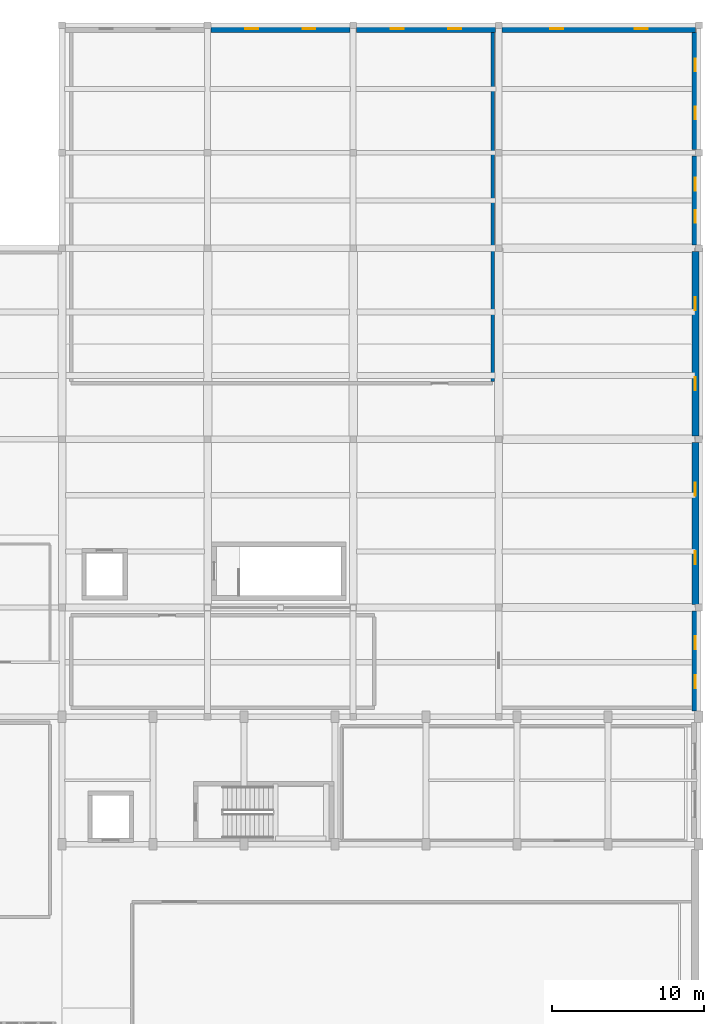
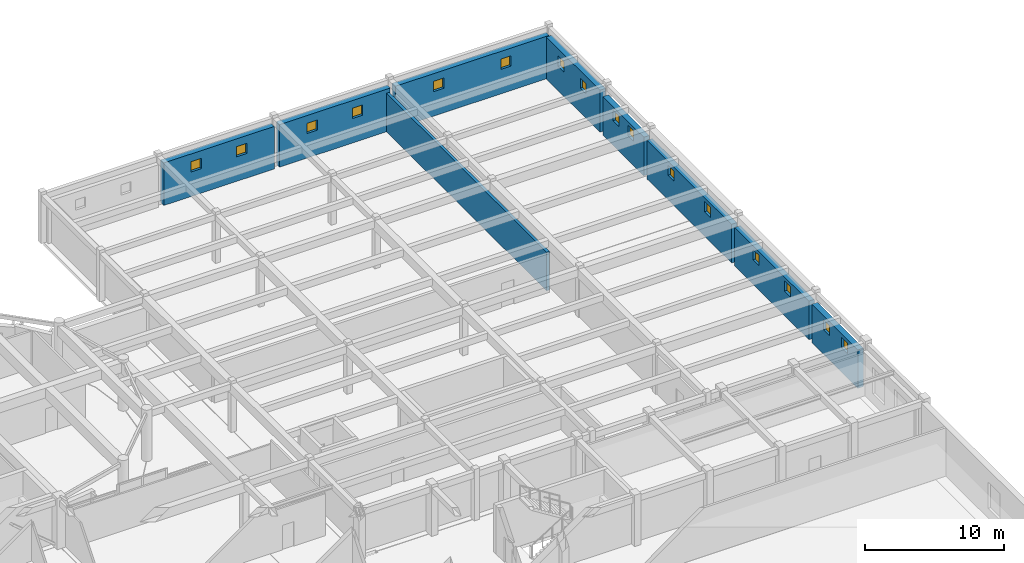
# One storey, part 74 of 91: 16 windows, 9 walls, 16 openings.
"""IFC4 building model written with IfcOpenShell, lengths in metres."""

from ifc_helpers import new_model, si_unit, direction, frame, frame_2d, origin, place, context, subcontext, project, spatial, rectangle, extrude, material, layer, layer_set, type_object, element, fill, save


model = new_model("IFC4")

# Units and contexts
model_context = context("Model", 3, precision=1e-05, world=origin(), true_north=direction((0.0, 1.0)))
body_context = subcontext(model_context, "Body", "Model", "MODEL_VIEW")
ifc_project = project(units=[si_unit("LENGTHUNIT", "METRE"), si_unit("AREAUNIT", "SQUARE_METRE"), si_unit("VOLUMEUNIT", "CUBIC_METRE"), si_unit("PLANEANGLEUNIT", "RADIAN"), si_unit("MASSUNIT", "GRAM", prefix="KILO")], contexts=[model_context])

# Site, building, storey
site_placement = place(None, origin())
site = spatial("IfcSite", under=ifc_project, at=site_placement, CompositionType="ELEMENT")
building_placement = place(site_placement, origin())
building = spatial("IfcBuilding", under=site, at=building_placement, Name="Tarnavel Promenade Courthouse", CompositionType="ELEMENT")
storey_placement = place(building_placement, frame((0.0, 0.0, 9.89990234375)))
storey = spatial("IfcBuildingStorey", under=building, at=storey_placement, Name="L03", CompositionType="ELEMENT", Elevation=9.89990234375)

# Wall, openings, windows
ifc_material_1 = material(Name="Concrete C40/50", Category="concrete")
ifc_layer_1 = layer(ifc_material_1, 0.4599609375)
ifc_layer_set_1 = layer_set([ifc_layer_1], Name="Concrete C40/50")
wall_type_1 = type_object("IfcWallType", Name="Concrete C40/50 WL-SEC-460 (460 mm)", PredefinedType="STANDARD", material=ifc_layer_set_1)
wall_1_placement = place(storey_placement, frame((129.81201171875, 112.56005859375, 0.0), z_axis=(0.0, 0.0, 1.0), x_axis=(1.0, 0.0, 0.0)))
wall_1 = element("IfcWall", 1, at=wall_1_placement, inside=storey, type_object=wall_type_1, Name="L03 Custody Block North Security Wall 0422", PredefinedType="STANDARD", context=body_context, shape_type="SweptSolid", body=[
    extrude(rectangle(XDim=9.1708984375, YDim=0.4599609375, at=frame_2d((4.58544921875, 0.0))), origin(), (0.0, 0.0, 1.0), 3.72998046875),
])
opening_1_placement = place(wall_1_placement, frame((2.278076171875, 0.0, 2.14990234375)))
opening_1 = element("IfcOpeningElement", 2, at=opening_1_placement, cuts=wall_1, Name="Opening W-11", PredefinedType="OPENING", context=body_context, shape_type="SweptSolid", body=[
    extrude(rectangle(XDim=0.85009765625, YDim=0.89990234375, at=frame_2d((0.425048828125, 0.449951171875))), frame((0.0, 0.239990234375, 0.0), z_axis=(0.0, -1.0, 0.0), x_axis=(1.0, 0.0, 0.0)), (0.0, 0.0, 1.0), 0.47998046875),
])
opening_2_placement = place(wall_1_placement, frame((6.048095703125, 0.0, 2.14990234375)))
opening_2 = element("IfcOpeningElement", 3, at=opening_2_placement, cuts=wall_1, Name="Opening W-11", PredefinedType="OPENING", context=body_context, shape_type="SweptSolid", body=[
    extrude(rectangle(XDim=0.85009765625, YDim=0.89990234375, at=frame_2d((0.425048828125, 0.449951171875))), frame((0.0, 0.239990234375, 0.0), z_axis=(0.0, -1.0, 0.0), x_axis=(1.0, 0.0, 0.0)), (0.0, 0.0, 1.0), 0.47998046875),
])
ifc_material_2 = material(Name="Triple Low-E Glazed Bronze-Clad Window Assembly")
window_type = type_object("IfcWindowType", Name="Triple-Glazed Bronze-Clad Timber-Aluminium WIN-CUS-0850x0900", PartitioningType="SINGLE_PANEL", PredefinedType="WINDOW", material=ifc_material_2)
window_1_placement = place(opening_1_placement, origin())
window_1 = element("IfcWindow", 4, at=window_1_placement, inside=storey, type_object=window_type, Name="L03 Exterior Window 0523", OverallHeight=0.89990234375, OverallWidth=0.85009765625, PartitioningType="SINGLE_PANEL", PredefinedType="WINDOW", context=body_context, shape_type="SweptSolid", body=[
    extrude(rectangle(XDim=0.85009765625, YDim=0.89990234375, at=frame_2d((0.425048828125, 0.449951171875))), frame((0.0, 0.030029296875, 0.0), z_axis=(0.0, -1.0, 0.0), x_axis=(1.0, 0.0, 0.0)), (0.0, 0.0, 1.0), 0.06005859375),
])
fill(opening_1, window_1)
window_2_placement = place(opening_2_placement, origin())
window_2 = element("IfcWindow", 5, at=window_2_placement, inside=storey, type_object=window_type, Name="L03 Exterior Window 0524", OverallHeight=0.89990234375, OverallWidth=0.85009765625, PartitioningType="SINGLE_PANEL", PredefinedType="WINDOW", context=body_context, shape_type="SweptSolid", body=[
    extrude(rectangle(XDim=0.85009765625, YDim=0.89990234375, at=frame_2d((0.425048828125, 0.449951171875))), frame((0.0, 0.030029296875, 0.0), z_axis=(0.0, -1.0, 0.0), x_axis=(1.0, 0.0, 0.0)), (0.0, 0.0, 1.0), 0.06005859375),
])
fill(opening_2, window_2)

wall_2_placement = place(storey_placement, frame((139.412109375, 112.56005859375, 0.0), z_axis=(0.0, 0.0, 1.0), x_axis=(1.0, 0.0, 0.0)))
wall_2 = element("IfcWall", 6, at=wall_2_placement, inside=storey, type_object=wall_type_1, Name="L03 Custody Block North Security Wall 0423", PredefinedType="STANDARD", context=body_context, shape_type="SweptSolid", body=[
    extrude(rectangle(XDim=9.17578125, YDim=0.4599609375, at=frame_2d((4.587890625, 0.0))), origin(), (0.0, 0.0, 1.0), 3.72998046875),
])
opening_3_placement = place(wall_2_placement, frame((2.278076171875, 0.0, 2.14990234375)))
opening_3 = element("IfcOpeningElement", 7, at=opening_3_placement, cuts=wall_2, Name="Opening W-11", PredefinedType="OPENING", context=body_context, shape_type="SweptSolid", body=[
    extrude(rectangle(XDim=0.85009765625, YDim=0.89990234375, at=frame_2d((0.425048828125, 0.449951171875))), frame((0.0, 0.239990234375, 0.0), z_axis=(0.0, -1.0, 0.0), x_axis=(1.0, 0.0, 0.0)), (0.0, 0.0, 1.0), 0.47998046875),
])
opening_4_placement = place(wall_2_placement, frame((6.048095703125, 0.0, 2.14990234375)))
opening_4 = element("IfcOpeningElement", 8, at=opening_4_placement, cuts=wall_2, Name="Opening W-11", PredefinedType="OPENING", context=body_context, shape_type="SweptSolid", body=[
    extrude(rectangle(XDim=0.85009765625, YDim=0.89990234375, at=frame_2d((0.425048828125, 0.449951171875))), frame((0.0, 0.239990234375, 0.0), z_axis=(0.0, -1.0, 0.0), x_axis=(1.0, 0.0, 0.0)), (0.0, 0.0, 1.0), 0.47998046875),
])
window_3_placement = place(opening_3_placement, origin())
window_3 = element("IfcWindow", 9, at=window_3_placement, inside=storey, type_object=window_type, Name="L03 Exterior Window 0525", OverallHeight=0.89990234375, OverallWidth=0.85009765625, PartitioningType="SINGLE_PANEL", PredefinedType="WINDOW", context=body_context, shape_type="SweptSolid", body=[
    extrude(rectangle(XDim=0.85009765625, YDim=0.89990234375, at=frame_2d((0.425048828125, 0.449951171875))), frame((0.0, 0.030029296875, 0.0), z_axis=(0.0, -1.0, 0.0), x_axis=(1.0, 0.0, 0.0)), (0.0, 0.0, 1.0), 0.06005859375),
])
fill(opening_3, window_3)
window_4_placement = place(opening_4_placement, origin())
window_4 = element("IfcWindow", 10, at=window_4_placement, inside=storey, type_object=window_type, Name="L03 Exterior Window 0526", OverallHeight=0.89990234375, OverallWidth=0.85009765625, PartitioningType="SINGLE_PANEL", PredefinedType="WINDOW", context=body_context, shape_type="SweptSolid", body=[
    extrude(rectangle(XDim=0.85009765625, YDim=0.89990234375, at=frame_2d((0.425048828125, 0.449951171875))), frame((0.0, 0.030029296875, 0.0), z_axis=(0.0, -1.0, 0.0), x_axis=(1.0, 0.0, 0.0)), (0.0, 0.0, 1.0), 0.06005859375),
])
fill(opening_4, window_4)

wall_3_placement = place(storey_placement, frame((149.01708984375, 112.56005859375, 0.0), z_axis=(0.0, 0.0, 1.0), x_axis=(1.0, 0.0, 0.0)))
wall_3 = element("IfcWall", 11, at=wall_3_placement, inside=storey, type_object=wall_type_1, Name="L03 Custody Block North Security Wall 0424", PredefinedType="STANDARD", context=body_context, shape_type="SweptSolid", body=[
    extrude(rectangle(XDim=12.765869140625, YDim=0.4599609375, at=frame_2d((6.3828125, 0.0))), origin(), (0.0, 0.0, 1.0), 3.72998046875),
])
opening_5_placement = place(wall_3_placement, frame((3.173095703125, 0.0, 2.14990234375)))
opening_5 = element("IfcOpeningElement", 12, at=opening_5_placement, cuts=wall_3, Name="Opening W-11", PredefinedType="OPENING", context=body_context, shape_type="SweptSolid", body=[
    extrude(rectangle(XDim=0.85009765625, YDim=0.89990234375, at=frame_2d((0.425048828125, 0.449951171875))), frame((0.0, 0.239990234375, 0.0), z_axis=(0.0, -1.0, 0.0), x_axis=(1.0, 0.0, 0.0)), (0.0, 0.0, 1.0), 0.47998046875),
])
opening_6_placement = place(wall_3_placement, frame((8.742919921875, 0.0, 2.14990234375)))
opening_6 = element("IfcOpeningElement", 13, at=opening_6_placement, cuts=wall_3, Name="Opening W-11", PredefinedType="OPENING", context=body_context, shape_type="SweptSolid", body=[
    extrude(rectangle(XDim=0.85009765625, YDim=0.89990234375, at=frame_2d((0.425048828125, 0.449951171875))), frame((0.0, 0.239990234375, 0.0), z_axis=(0.0, -1.0, 0.0), x_axis=(1.0, 0.0, 0.0)), (0.0, 0.0, 1.0), 0.47998046875),
])
window_5_placement = place(opening_5_placement, origin())
window_5 = element("IfcWindow", 14, at=window_5_placement, inside=storey, type_object=window_type, Name="L03 Exterior Window 0527", OverallHeight=0.89990234375, OverallWidth=0.85009765625, PartitioningType="SINGLE_PANEL", PredefinedType="WINDOW", context=body_context, shape_type="SweptSolid", body=[
    extrude(rectangle(XDim=0.85009765625, YDim=0.89990234375, at=frame_2d((0.425048828125, 0.449951171875))), frame((0.0, 0.030029296875, 0.0), z_axis=(0.0, -1.0, 0.0), x_axis=(1.0, 0.0, 0.0)), (0.0, 0.0, 1.0), 0.06005859375),
])
fill(opening_5, window_5)
window_6_placement = place(opening_6_placement, origin())
window_6 = element("IfcWindow", 15, at=window_6_placement, inside=storey, type_object=window_type, Name="L03 Exterior Window 0528", OverallHeight=0.89990234375, OverallWidth=0.85009765625, PartitioningType="SINGLE_PANEL", PredefinedType="WINDOW", context=body_context, shape_type="SweptSolid", body=[
    extrude(rectangle(XDim=0.85009765625, YDim=0.89990234375, at=frame_2d((0.425048828125, 0.449951171875))), frame((0.0, 0.030029296875, 0.0), z_axis=(0.0, -1.0, 0.0), x_axis=(1.0, 0.0, 0.0)), (0.0, 0.0, 1.0), 0.06005859375),
])
fill(opening_6, window_6)

wall_4_placement = place(storey_placement, frame((161.760009765625, 74.18798828125, 0.0), z_axis=(0.0, 0.0, 1.0), x_axis=(0.0, -1.0, 0.0)))
wall_4 = element("IfcWall", 16, at=wall_4_placement, inside=storey, type_object=wall_type_1, Name="L03 Custody Block East Security Wall 0425", PredefinedType="STANDARD", context=body_context, shape_type="SweptSolid", body=[
    extrude(rectangle(XDim=6.62109375, YDim=0.4599609375, at=frame_2d((3.310546875, 0.0))), origin(), (0.0, 0.0, 1.0), 3.380126953125),
])
opening_7_placement = place(wall_4_placement, frame((1.677978515625, 0.0, 2.14990234375)))
opening_7 = element("IfcOpeningElement", 17, at=opening_7_placement, cuts=wall_4, Name="Opening W-11", PredefinedType="OPENING", context=body_context, shape_type="SweptSolid", body=[
    extrude(rectangle(XDim=0.85009765625, YDim=0.89990234375, at=frame_2d((0.425048828125, 0.449951171875))), frame((0.0, 0.239990234375, 0.0), z_axis=(0.0, -1.0, 0.0), x_axis=(1.0, 0.0, 0.0)), (0.0, 0.0, 1.0), 0.47998046875),
])
opening_8_placement = place(wall_4_placement, frame((4.248046875, 0.0, 2.14990234375)))
opening_8 = element("IfcOpeningElement", 18, at=opening_8_placement, cuts=wall_4, Name="Opening W-11", PredefinedType="OPENING", context=body_context, shape_type="SweptSolid", body=[
    extrude(rectangle(XDim=0.85009765625, YDim=0.89990234375, at=frame_2d((0.425048828125, 0.449951171875))), frame((0.0, 0.239990234375, 0.0), z_axis=(0.0, -1.0, 0.0), x_axis=(1.0, 0.0, 0.0)), (0.0, 0.0, 1.0), 0.47998046875),
])
window_7_placement = place(opening_7_placement, origin())
window_7 = element("IfcWindow", 19, at=window_7_placement, inside=storey, type_object=window_type, Name="L03 Exterior Window 0529", OverallHeight=0.89990234375, OverallWidth=0.85009765625, PartitioningType="SINGLE_PANEL", PredefinedType="WINDOW", context=body_context, shape_type="SweptSolid", body=[
    extrude(rectangle(XDim=0.85009765625, YDim=0.89990234375, at=frame_2d((0.425048828125, 0.449951171875))), frame((0.0, 0.030029296875, 0.0), z_axis=(0.0, -1.0, 0.0), x_axis=(1.0, 0.0, 0.0)), (0.0, 0.0, 1.0), 0.06005859375),
])
fill(opening_7, window_7)
window_8_placement = place(opening_8_placement, origin())
window_8 = element("IfcWindow", 20, at=window_8_placement, inside=storey, type_object=window_type, Name="L03 Exterior Window 0530", OverallHeight=0.89990234375, OverallWidth=0.85009765625, PartitioningType="SINGLE_PANEL", PredefinedType="WINDOW", context=body_context, shape_type="SweptSolid", body=[
    extrude(rectangle(XDim=0.85009765625, YDim=0.89990234375, at=frame_2d((0.425048828125, 0.449951171875))), frame((0.0, 0.030029296875, 0.0), z_axis=(0.0, -1.0, 0.0), x_axis=(1.0, 0.0, 0.0)), (0.0, 0.0, 1.0), 0.06005859375),
])
fill(opening_8, window_8)

wall_5_placement = place(storey_placement, frame((161.760009765625, 85.2880859375, 0.0), z_axis=(0.0, 0.0, 1.0), x_axis=(0.0, -1.0, 0.0)))
wall_5 = element("IfcWall", 21, at=wall_5_placement, inside=storey, type_object=wall_type_1, Name="L03 Custody Block East Security Wall 0426", PredefinedType="STANDARD", context=body_context, shape_type="SweptSolid", body=[
    extrude(rectangle(XDim=10.671142578125, YDim=0.4599609375, at=frame_2d((5.33544921875, 0.0))), origin(), (0.0, 0.0, 1.0), 3.380126953125),
])
opening_9_placement = place(wall_5_placement, frame((2.653076171875, 0.0, 2.14990234375)))
opening_9 = element("IfcOpeningElement", 22, at=opening_9_placement, cuts=wall_5, Name="Opening W-11", PredefinedType="OPENING", context=body_context, shape_type="SweptSolid", body=[
    extrude(rectangle(XDim=0.85009765625, YDim=0.89990234375, at=frame_2d((0.425048828125, 0.449951171875))), frame((0.0, 0.239990234375, 0.0), z_axis=(0.0, -1.0, 0.0), x_axis=(1.0, 0.0, 0.0)), (0.0, 0.0, 1.0), 0.47998046875),
])
opening_10_placement = place(wall_5_placement, frame((7.173095703125, 0.0, 2.14990234375)))
opening_10 = element("IfcOpeningElement", 23, at=opening_10_placement, cuts=wall_5, Name="Opening W-11", PredefinedType="OPENING", context=body_context, shape_type="SweptSolid", body=[
    extrude(rectangle(XDim=0.85009765625, YDim=0.89990234375, at=frame_2d((0.425048828125, 0.449951171875))), frame((0.0, 0.239990234375, 0.0), z_axis=(0.0, -1.0, 0.0), x_axis=(1.0, 0.0, 0.0)), (0.0, 0.0, 1.0), 0.47998046875),
])
window_9_placement = place(opening_9_placement, origin())
window_9 = element("IfcWindow", 24, at=window_9_placement, inside=storey, type_object=window_type, Name="L03 Exterior Window 0531", OverallHeight=0.89990234375, OverallWidth=0.85009765625, PartitioningType="SINGLE_PANEL", PredefinedType="WINDOW", context=body_context, shape_type="SweptSolid", body=[
    extrude(rectangle(XDim=0.85009765625, YDim=0.89990234375, at=frame_2d((0.425048828125, 0.449951171875))), frame((0.0, 0.030029296875, 0.0), z_axis=(0.0, -1.0, 0.0), x_axis=(1.0, 0.0, 0.0)), (0.0, 0.0, 1.0), 0.06005859375),
])
fill(opening_9, window_9)
window_10_placement = place(opening_10_placement, origin())
window_10 = element("IfcWindow", 25, at=window_10_placement, inside=storey, type_object=window_type, Name="L03 Exterior Window 0532", OverallHeight=0.89990234375, OverallWidth=0.85009765625, PartitioningType="SINGLE_PANEL", PredefinedType="WINDOW", context=body_context, shape_type="SweptSolid", body=[
    extrude(rectangle(XDim=0.85009765625, YDim=0.89990234375, at=frame_2d((0.425048828125, 0.449951171875))), frame((0.0, 0.030029296875, 0.0), z_axis=(0.0, -1.0, 0.0), x_axis=(1.0, 0.0, 0.0)), (0.0, 0.0, 1.0), 0.06005859375),
])
fill(opening_10, window_10)

wall_6_placement = place(storey_placement, frame((161.760009765625, 97.883056640625, 0.0), z_axis=(0.0, 0.0, 1.0), x_axis=(0.0, -1.0, 0.0)))
wall_6 = element("IfcWall", 26, at=wall_6_placement, inside=storey, type_object=wall_type_1, Name="L03 Custody Block East Security Wall 0427", PredefinedType="STANDARD", context=body_context, shape_type="SweptSolid", body=[
    extrude(rectangle(XDim=12.171142578125, YDim=0.4599609375, at=frame_2d((6.08544921875, 0.0))), origin(), (0.0, 0.0, 1.0), 3.380126953125),
])
opening_11_placement = place(wall_6_placement, frame((3.02294921875, 0.0, 2.14990234375)))
opening_11 = element("IfcOpeningElement", 27, at=opening_11_placement, cuts=wall_6, Name="Opening W-11", PredefinedType="OPENING", context=body_context, shape_type="SweptSolid", body=[
    extrude(rectangle(XDim=0.85009765625, YDim=0.89990234375, at=frame_2d((0.425048828125, 0.449951171875))), frame((0.0, 0.239990234375, 0.0), z_axis=(0.0, -1.0, 0.0), x_axis=(1.0, 0.0, 0.0)), (0.0, 0.0, 1.0), 0.47998046875),
])
opening_12_placement = place(wall_6_placement, frame((8.29296875, 0.0, 2.14990234375)))
opening_12 = element("IfcOpeningElement", 28, at=opening_12_placement, cuts=wall_6, Name="Opening W-11", PredefinedType="OPENING", context=body_context, shape_type="SweptSolid", body=[
    extrude(rectangle(XDim=0.85009765625, YDim=0.89990234375, at=frame_2d((0.425048828125, 0.449951171875))), frame((0.0, 0.239990234375, 0.0), z_axis=(0.0, -1.0, 0.0), x_axis=(1.0, 0.0, 0.0)), (0.0, 0.0, 1.0), 0.47998046875),
])
window_11_placement = place(opening_11_placement, origin())
window_11 = element("IfcWindow", 29, at=window_11_placement, inside=storey, type_object=window_type, Name="L03 Exterior Window 0533", OverallHeight=0.89990234375, OverallWidth=0.85009765625, PartitioningType="SINGLE_PANEL", PredefinedType="WINDOW", context=body_context, shape_type="SweptSolid", body=[
    extrude(rectangle(XDim=0.85009765625, YDim=0.89990234375, at=frame_2d((0.425048828125, 0.449951171875))), frame((0.0, 0.030029296875, 0.0), z_axis=(0.0, -1.0, 0.0), x_axis=(1.0, 0.0, 0.0)), (0.0, 0.0, 1.0), 0.06005859375),
])
fill(opening_11, window_11)
window_12_placement = place(opening_12_placement, origin())
window_12 = element("IfcWindow", 30, at=window_12_placement, inside=storey, type_object=window_type, Name="L03 Exterior Window 0534", OverallHeight=0.89990234375, OverallWidth=0.85009765625, PartitioningType="SINGLE_PANEL", PredefinedType="WINDOW", context=body_context, shape_type="SweptSolid", body=[
    extrude(rectangle(XDim=0.85009765625, YDim=0.89990234375, at=frame_2d((0.425048828125, 0.449951171875))), frame((0.0, 0.030029296875, 0.0), z_axis=(0.0, -1.0, 0.0), x_axis=(1.0, 0.0, 0.0)), (0.0, 0.0, 1.0), 0.06005859375),
])
fill(opening_12, window_12)

wall_7_placement = place(storey_placement, frame((161.760009765625, 104.18798828125, 0.0), z_axis=(0.0, 0.0, 1.0), x_axis=(0.0, -1.0, 0.0)))
wall_7 = element("IfcWall", 31, at=wall_7_placement, inside=storey, type_object=wall_type_1, Name="L03 Custody Block East Security Wall 0428", PredefinedType="STANDARD", context=body_context, shape_type="SweptSolid", body=[
    extrude(rectangle(XDim=5.8759765625, YDim=0.4599609375, at=frame_2d((2.93798828125, 0.0))), origin(), (0.0, 0.0, 1.0), 3.380126953125),
])
opening_13_placement = place(wall_7_placement, frame((1.452880859375, 0.0, 2.14990234375)))
opening_13 = element("IfcOpeningElement", 32, at=opening_13_placement, cuts=wall_7, Name="Opening W-11", PredefinedType="OPENING", context=body_context, shape_type="SweptSolid", body=[
    extrude(rectangle(XDim=0.85009765625, YDim=0.89990234375, at=frame_2d((0.425048828125, 0.449951171875))), frame((0.0, 0.239990234375, 0.0), z_axis=(0.0, -1.0, 0.0), x_axis=(1.0, 0.0, 0.0)), (0.0, 0.0, 1.0), 0.47998046875),
])
opening_14_placement = place(wall_7_placement, frame((3.572998046875, 0.0, 2.14990234375)))
opening_14 = element("IfcOpeningElement", 33, at=opening_14_placement, cuts=wall_7, Name="Opening W-11", PredefinedType="OPENING", context=body_context, shape_type="SweptSolid", body=[
    extrude(rectangle(XDim=0.85009765625, YDim=0.89990234375, at=frame_2d((0.425048828125, 0.449951171875))), frame((0.0, 0.239990234375, 0.0), z_axis=(0.0, -1.0, 0.0), x_axis=(1.0, 0.0, 0.0)), (0.0, 0.0, 1.0), 0.47998046875),
])
window_13_placement = place(opening_13_placement, origin())
window_13 = element("IfcWindow", 34, at=window_13_placement, inside=storey, type_object=window_type, Name="L03 Exterior Window 0535", OverallHeight=0.89990234375, OverallWidth=0.85009765625, PartitioningType="SINGLE_PANEL", PredefinedType="WINDOW", context=body_context, shape_type="SweptSolid", body=[
    extrude(rectangle(XDim=0.85009765625, YDim=0.89990234375, at=frame_2d((0.425048828125, 0.449951171875))), frame((0.0, 0.030029296875, 0.0), z_axis=(0.0, -1.0, 0.0), x_axis=(1.0, 0.0, 0.0)), (0.0, 0.0, 1.0), 0.06005859375),
])
fill(opening_13, window_13)
window_14_placement = place(opening_14_placement, origin())
window_14 = element("IfcWindow", 35, at=window_14_placement, inside=storey, type_object=window_type, Name="L03 Exterior Window 0536", OverallHeight=0.89990234375, OverallWidth=0.85009765625, PartitioningType="SINGLE_PANEL", PredefinedType="WINDOW", context=body_context, shape_type="SweptSolid", body=[
    extrude(rectangle(XDim=0.85009765625, YDim=0.89990234375, at=frame_2d((0.425048828125, 0.449951171875))), frame((0.0, 0.030029296875, 0.0), z_axis=(0.0, -1.0, 0.0), x_axis=(1.0, 0.0, 0.0)), (0.0, 0.0, 1.0), 0.06005859375),
])
fill(opening_14, window_14)

wall_8_placement = place(storey_placement, frame((161.760009765625, 112.320068359375, 0.0), z_axis=(0.0, 0.0, 1.0), x_axis=(0.0, -1.0, 0.0)))
wall_8 = element("IfcWall", 36, at=wall_8_placement, inside=storey, type_object=wall_type_1, Name="L03 Custody Block East Security Wall 0429", PredefinedType="STANDARD", context=body_context, shape_type="SweptSolid", body=[
    extrude(rectangle(XDim=7.703125, YDim=0.4599609375, at=frame_2d((3.8515625, 0.0))), origin(), (0.0, 0.0, 1.0), 3.68017578125),
])
opening_15_placement = place(wall_8_placement, frame((1.7099609375, 0.0, 2.14990234375)))
opening_15 = element("IfcOpeningElement", 37, at=opening_15_placement, cuts=wall_8, Name="Opening W-11", PredefinedType="OPENING", context=body_context, shape_type="SweptSolid", body=[
    extrude(rectangle(XDim=0.85009765625, YDim=0.89990234375, at=frame_2d((0.425048828125, 0.449951171875))), frame((0.0, 0.239990234375, 0.0), z_axis=(0.0, -1.0, 0.0), x_axis=(1.0, 0.0, 0.0)), (0.0, 0.0, 1.0), 0.47998046875),
])
opening_16_placement = place(wall_8_placement, frame((4.8798828125, 0.0, 2.14990234375)))
opening_16 = element("IfcOpeningElement", 38, at=opening_16_placement, cuts=wall_8, Name="Opening W-11", PredefinedType="OPENING", context=body_context, shape_type="SweptSolid", body=[
    extrude(rectangle(XDim=0.85009765625, YDim=0.89990234375, at=frame_2d((0.425048828125, 0.449951171875))), frame((0.0, 0.239990234375, 0.0), z_axis=(0.0, -1.0, 0.0), x_axis=(1.0, 0.0, 0.0)), (0.0, 0.0, 1.0), 0.47998046875),
])
window_15_placement = place(opening_15_placement, origin())
window_15 = element("IfcWindow", 39, at=window_15_placement, inside=storey, type_object=window_type, Name="L03 Exterior Window 0537", OverallHeight=0.89990234375, OverallWidth=0.85009765625, PartitioningType="SINGLE_PANEL", PredefinedType="WINDOW", context=body_context, shape_type="SweptSolid", body=[
    extrude(rectangle(XDim=0.85009765625, YDim=0.89990234375, at=frame_2d((0.425048828125, 0.449951171875))), frame((0.0, 0.030029296875, 0.0), z_axis=(0.0, -1.0, 0.0), x_axis=(1.0, 0.0, 0.0)), (0.0, 0.0, 1.0), 0.06005859375),
])
fill(opening_15, window_15)
window_16_placement = place(opening_16_placement, origin())
window_16 = element("IfcWindow", 40, at=window_16_placement, inside=storey, type_object=window_type, Name="L03 Exterior Window 0538", OverallHeight=0.89990234375, OverallWidth=0.85009765625, PartitioningType="SINGLE_PANEL", PredefinedType="WINDOW", context=body_context, shape_type="SweptSolid", body=[
    extrude(rectangle(XDim=0.85009765625, YDim=0.89990234375, at=frame_2d((0.425048828125, 0.449951171875))), frame((0.0, 0.030029296875, 0.0), z_axis=(0.0, -1.0, 0.0), x_axis=(1.0, 0.0, 0.0)), (0.0, 0.0, 1.0), 0.06005859375),
])
fill(opening_16, window_16)

# Wall
ifc_material_3 = material(Name="Concrete Masonry Fire Compartment Wall", Category="masonry")
ifc_layer_2 = layer(ifc_material_3, 0.22998046875)
ifc_layer_set_2 = layer_set([ifc_layer_2], Name="Concrete Masonry Fire Compartment Wall")
wall_type_2 = type_object("IfcWallType", Name="Concrete Masonry Fire Compartment Wall WL-CMP-230 (230 mm)", PredefinedType="STANDARD", material=ifc_layer_set_2)
wall_9_placement = place(storey_placement, frame((148.39990234375, 112.3359375, 0.0), z_axis=(0.0, 0.0, 1.0), x_axis=(0.0, -1.0, 0.0)))
element("IfcWall", 41, at=wall_9_placement, inside=storey, type_object=wall_type_2, Name="L03 Custody Appeals Review and Marshals' Suite Partition 0523", PredefinedType="STANDARD", context=body_context, shape_type="SweptSolid", body=[
    extrude(rectangle(XDim=23.010986328125, YDim=0.22998046875, at=frame_2d((11.50537109375, 0.0))), origin(), (0.0, 0.0, 1.0), 3.380126953125),
])

save(model, "model.ifc")
